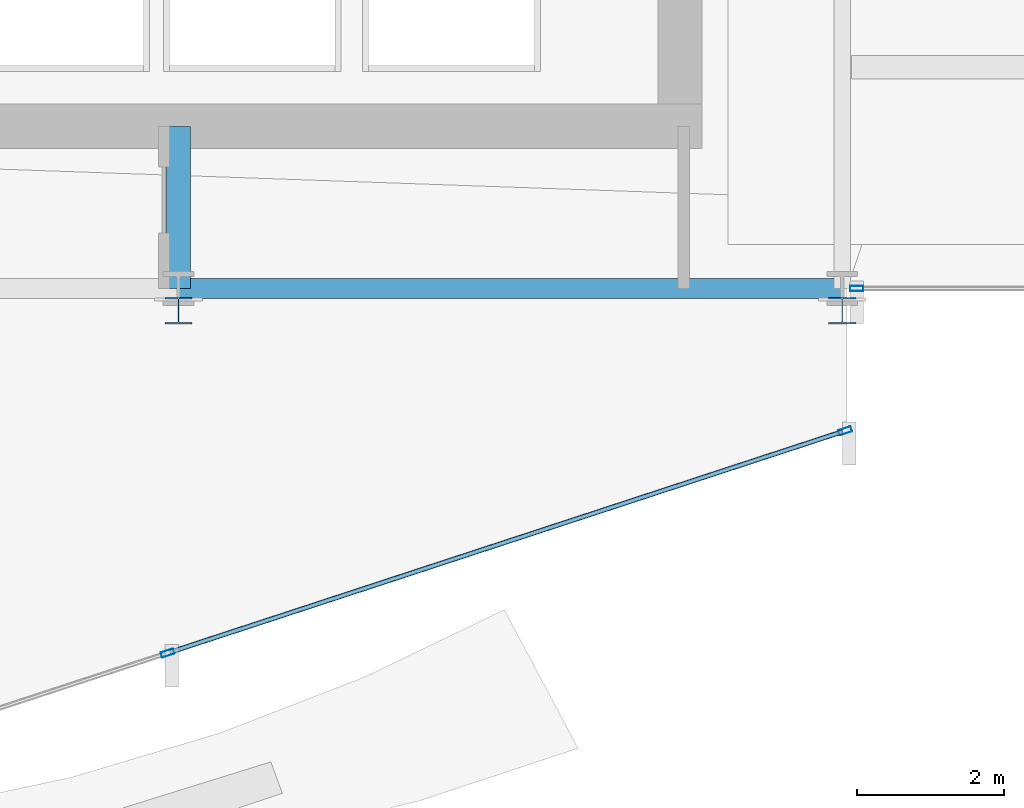
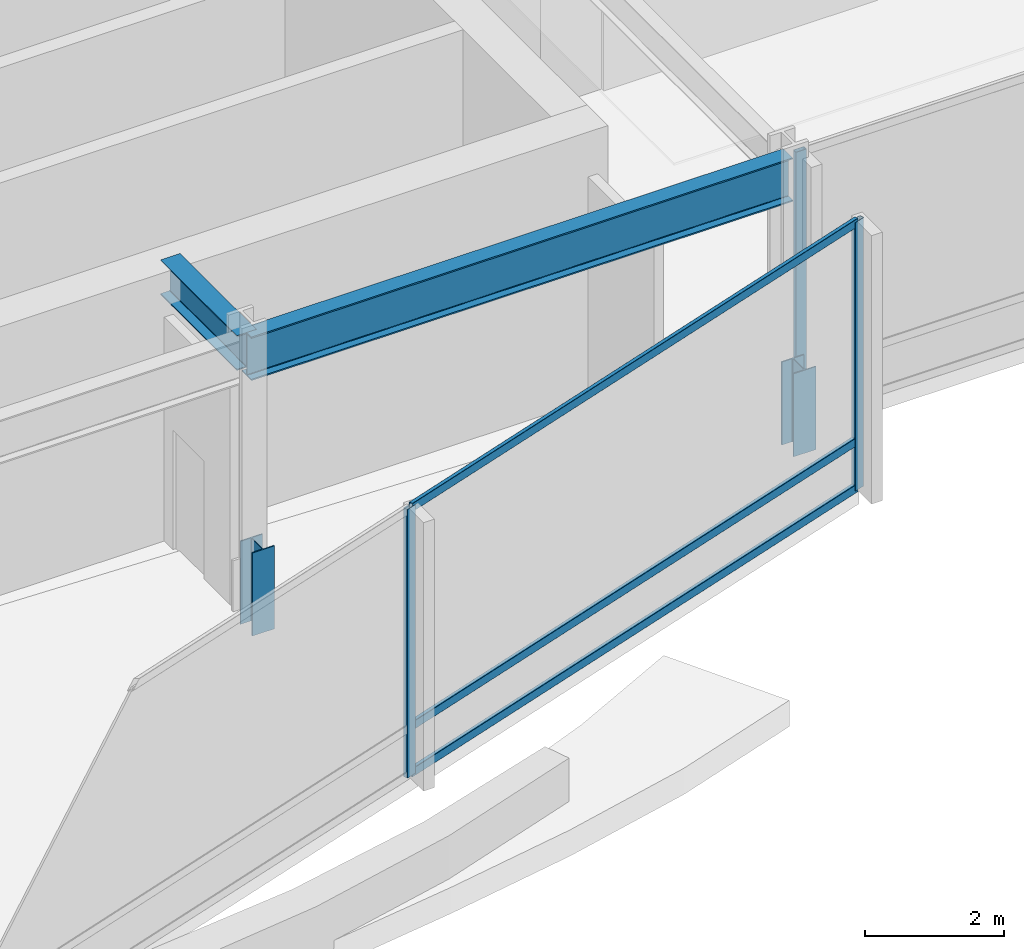
# One storey, part 10 of 33: 8 members, 2 beams, 2 elements without a shape of their own.
"""IFC4 building model written with IfcOpenShell, lengths in metres."""

from ifc_helpers import new_model, si_unit, direction, frame, origin, origin_2d, place, context, subcontext, project, spatial, hollow_rectangle, i_section, extrude, material, layer, layer_set, material_profile, profile_set, type_object, element, aggregate, save


model = new_model("IFC4")

# Units and contexts
model_context = context("Model", 3, precision=1e-05, world=origin(), true_north=direction((0.0, 1.0)))
body_context = subcontext(model_context, "Body", "Model", "MODEL_VIEW")
ifc_project = project(units=[si_unit("LENGTHUNIT", "METRE"), si_unit("AREAUNIT", "SQUARE_METRE"), si_unit("VOLUMEUNIT", "CUBIC_METRE"), si_unit("PLANEANGLEUNIT", "RADIAN"), si_unit("MASSUNIT", "GRAM", prefix="KILO")], contexts=[model_context])

# Site, building, storey
site_placement = place(None, origin())
site = spatial("IfcSite", under=ifc_project, at=site_placement, CompositionType="ELEMENT")
building_placement = place(site_placement, origin())
building = spatial("IfcBuilding", under=site, at=building_placement, Name="Solvaryn Broadcast Tower", CompositionType="ELEMENT")
storey_placement = place(building_placement, frame((0.0, 0.0, 105.0)))
storey = spatial("IfcBuildingStorey", under=building, at=storey_placement, Name="L25", CompositionType="ELEMENT", Elevation=105.0)

# Beams
ifc_material_1 = material(Name="Steel ASTM A992 Grade 50", Category="steel")
ifc_material_profile_1 = material_profile(ifc_material_1, i_section(OverallWidth=0.323974609375, OverallDepth=0.611083984375, WebThickness=0.0126953125, FlangeThickness=0.01904296875, FilletRadius=0.014892578125, at=origin_2d()))
ifc_profile_set_1 = profile_set([ifc_material_profile_1], Name="Steel ASTM A992 Grade 50")
beam_type_1 = type_object("IfcBeamType", Name="BM-B1-W24X104", PredefinedType="BEAM", material=ifc_profile_set_1)
beam_1_placement = place(storey_placement, frame((36.0, 9.0, 4.41455078125), z_axis=(0.0, 1.0, 0.0), x_axis=(-1.0, 0.0, 0.0)))
element("IfcBeam", 1, at=beam_1_placement, inside=storey, type_object=beam_type_1, Name="L25 Core Tie Beam CTE1", PredefinedType="BEAM", context=body_context, shape_type="SweptSolid", body=[
    extrude(i_section(OverallWidth=0.323974609375, OverallDepth=0.611083984375, WebThickness=0.0126953125, FlangeThickness=0.01904296875, FilletRadius=0.014892578125, at=origin_2d()), origin(), (0.0, 0.0, 1.0), 2.199951171875),
])
ifc_material_2 = material(Name="Steel ASTM A992 Grade 50", Category="steel")
ifc_material_profile_2 = material_profile(ifc_material_2, i_section(OverallWidth=0.26708984375, OverallDepth=0.76611328125, WebThickness=0.014892578125, FlangeThickness=0.023681640625, FilletRadius=0.01806640625, at=origin_2d()))
ifc_profile_set_2 = profile_set([ifc_material_profile_2], Name="Steel ASTM A992 Grade 50")
beam_type_2 = type_object("IfcBeamType", Name="BM-SP2-W30X124", PredefinedType="USERDEFINED", material=ifc_profile_set_2)
beam_2_placement = place(storey_placement, frame((36.0, 9.0, 4.3369140625), z_axis=(1.0, 0.0, 0.0), x_axis=(0.0, 1.0, 0.0)))
element("IfcBeam", 2, at=beam_2_placement, inside=storey, type_object=beam_type_2, Name="L25 Spandrel Beam X (36-45 @ Y=9)", ObjectType="SPANDREL", PredefinedType="USERDEFINED", context=body_context, shape_type="SweptSolid", body=[
    extrude(i_section(OverallWidth=0.26708984375, OverallDepth=0.76611328125, WebThickness=0.014892578125, FlangeThickness=0.023681640625, FilletRadius=0.01806640625, at=origin_2d()), origin(), (0.0, 0.0, 1.0), 9.0),
])

# Curtain wall, members
ifc_material_3 = material(Name="Aluminium and Terracotta Unitised Curtain Wall", Category="masonry")
ifc_layer = layer(ifc_material_3, 0.25)
ifc_layer_set = layer_set([ifc_layer], Name="CW-SYS4-SKYGARDEN")
curtain_wall_type = type_object("IfcCurtainWallType", Name="CW-SYS4-SKYGARDEN", PredefinedType="NOTDEFINED", material=ifc_layer_set)
curtain_wall_1_placement = place(storey_placement, origin())
curtain_wall_1 = element("IfcCurtainWall", 3, at=curtain_wall_1_placement, inside=storey, type_object=curtain_wall_type, Name="L25 Curtain Wall DR4", PredefinedType="NOTDEFINED")
ifc_material_4 = material(Name="Anodised Aluminium 6063-T6", Category="aluminium")
ifc_material_profile_3 = material_profile(ifc_material_4, hollow_rectangle(XDim=0.074951171875, YDim=0.179931640625, WallThickness=0.00390625, InnerFilletRadius=0.00390625, OuterFilletRadius=0.008056640625, at=origin_2d()))
ifc_profile_set_3 = profile_set([ifc_material_profile_3], Name="Anodised Aluminium 6063-T6")
member_type_1 = type_object("IfcMemberType", Name="CW-MUL-180", PredefinedType="MULLION", material=ifc_profile_set_3)
member_1_placement = place(storey_placement, frame((35.8515625, 4.056396484375, 0.0), z_axis=(0.0, 0.0, 1.0), x_axis=(-0.311646057547, 0.950198260794, 0.0)))
member_1 = element("IfcMember", 4, at=member_1_placement, type_object=member_type_1, Name="CWS4 mullion 2", PredefinedType="MULLION", context=body_context, shape_type="SweptSolid", body=[
    extrude(hollow_rectangle(XDim=0.074951171875, YDim=0.179931640625, WallThickness=0.00390625, InnerFilletRadius=0.00390625, OuterFilletRadius=0.008056640625, at=origin_2d()), origin(), (0.0, 0.0, 1.0), 4.719970703125),
])
member_2_placement = place(storey_placement, frame((45.03857421875, 7.069580078125, 0.0), z_axis=(0.0, 0.0, 1.0), x_axis=(-0.311646057547, 0.950198260794, 0.0)))
member_2 = element("IfcMember", 5, at=member_2_placement, type_object=member_type_1, Name="CWS4 mullion 3", PredefinedType="MULLION", context=body_context, shape_type="SweptSolid", body=[
    extrude(hollow_rectangle(XDim=0.074951171875, YDim=0.179931640625, WallThickness=0.00390625, InnerFilletRadius=0.00390625, OuterFilletRadius=0.008056640625, at=origin_2d()), origin(), (0.0, 0.0, 1.0), 4.719970703125),
])

# Curtain wall, member
curtain_wall_2_placement = place(storey_placement, origin())
curtain_wall_2 = element("IfcCurtainWall", 6, at=curtain_wall_2_placement, inside=storey, type_object=curtain_wall_type, Name="L25 Curtain Wall S2", PredefinedType="NOTDEFINED")
member_3_placement = place(storey_placement, frame((45.197021484375, 9.0, 0.0), z_axis=(0.0, 0.0, 1.0), x_axis=(0.0, 1.0, 0.0)))
member_3 = element("IfcMember", 7, at=member_3_placement, type_object=member_type_1, Name="CWS4 mullion 1", PredefinedType="MULLION", context=body_context, shape_type="SweptSolid", body=[
    extrude(hollow_rectangle(XDim=0.074951171875, YDim=0.179931640625, WallThickness=0.00390625, InnerFilletRadius=0.00390625, OuterFilletRadius=0.008056640625, at=origin_2d()), origin(), (0.0, 0.0, 1.0), 4.719970703125),
])
aggregate(curtain_wall_2, [member_3])

# Member
ifc_material_5 = material(Name="Anodised Aluminium 6063-T6", Category="aluminium")
ifc_material_profile_4 = material_profile(ifc_material_5, hollow_rectangle(XDim=0.06494140625, YDim=0.14990234375, WallThickness=0.00390625, InnerFilletRadius=0.00390625, OuterFilletRadius=0.008056640625, at=origin_2d()))
ifc_profile_set_4 = profile_set([ifc_material_profile_4], Name="Anodised Aluminium 6063-T6")
member_type_2 = type_object("IfcMemberType", Name="CW-TRN-150", PredefinedType="USERDEFINED", material=ifc_profile_set_4)
member_4_placement = place(storey_placement, frame((35.880126953125, 4.06591796875, 0.030029296875), z_axis=(0.950199324258, 0.311642815061, 0.0), x_axis=(-0.311642815061, 0.950199324258, 0.0)))
member_4 = element("IfcMember", 8, at=member_4_placement, type_object=member_type_2, Name="CWS4 transom 2.1", ObjectType="TRANSOM", PredefinedType="USERDEFINED", context=body_context, shape_type="SweptSolid", body=[
    extrude(hollow_rectangle(XDim=0.06494140625, YDim=0.14990234375, WallThickness=0.00390625, InnerFilletRadius=0.00390625, OuterFilletRadius=0.008056640625, at=origin_2d()), origin(), (0.0, 0.0, 1.0), 9.6083984375),
])

member_5_placement = place(storey_placement, frame((35.880126953125, 4.06591796875, 0.85009765625), z_axis=(0.950199324258, 0.311642815061, 0.0), x_axis=(-0.311642815061, 0.950199324258, 0.0)))
member_5 = element("IfcMember", 9, at=member_5_placement, type_object=member_type_2, Name="CWS4 transom 2.2", ObjectType="TRANSOM", PredefinedType="USERDEFINED", context=body_context, shape_type="SweptSolid", body=[
    extrude(hollow_rectangle(XDim=0.06494140625, YDim=0.14990234375, WallThickness=0.00390625, InnerFilletRadius=0.00390625, OuterFilletRadius=0.008056640625, at=origin_2d()), origin(), (0.0, 0.0, 1.0), 9.6083984375),
])

member_6_placement = place(storey_placement, frame((35.880126953125, 4.06591796875, 4.68994140625), z_axis=(0.950199324258, 0.311642815061, 0.0), x_axis=(-0.311642815061, 0.950199324258, 0.0)))
member_6 = element("IfcMember", 10, at=member_6_placement, type_object=member_type_2, Name="CWS4 transom 2.3", ObjectType="TRANSOM", PredefinedType="USERDEFINED", context=body_context, shape_type="SweptSolid", body=[
    extrude(hollow_rectangle(XDim=0.06494140625, YDim=0.14990234375, WallThickness=0.00390625, InnerFilletRadius=0.00390625, OuterFilletRadius=0.008056640625, at=origin_2d()), origin(), (0.0, 0.0, 1.0), 9.6083984375),
])

aggregate(curtain_wall_1, [member_1, member_2, member_4, member_5, member_6])

# Members
ifc_material_6 = material(Name="Steel ASTM A913 Grade 65", Category="steel")
ifc_material_profile_5 = material_profile(ifc_material_6, i_section(OverallWidth=0.3701171875, OverallDepth=0.360107421875, WebThickness=0.01220703125, FlangeThickness=0.019775390625, FilletRadius=0.014892578125, at=origin_2d()))
ifc_profile_set_5 = profile_set([ifc_material_profile_5], Name="Steel ASTM A913 Grade 65")
member_type_3 = type_object("IfcMemberType", Name="MB-COL-SPLICE", PredefinedType="POST", material=ifc_profile_set_5)
for number, where, z_axis, x_axis, name in (
    (11, (36.0, 8.699951171875, -0.260009765625), (0.0, 0.0, 1.0), (1.0, 0.0, 0.0), "L25 Zone Splice Stiffener 3"),
    (12, (45.0, 8.699951171875, -0.260009765625), (0.0, 0.0, 1.0), (1.0, 0.0, 0.0), "L25 Zone Splice Stiffener 4"),
):
    element("IfcMember", number, at=place(storey_placement, frame(where, z_axis=z_axis, x_axis=x_axis)), inside=storey, type_object=member_type_3, Name=name, PredefinedType="POST", context=body_context, shape_type="SweptSolid", body=[
        extrude(i_section(OverallWidth=0.3701171875, OverallDepth=0.360107421875, WebThickness=0.01220703125, FlangeThickness=0.019775390625, FilletRadius=0.014892578125, at=origin_2d()), origin(), (0.0, 0.0, 1.0), 1.4599609375),
    ])

save(model, "model.ifc")
